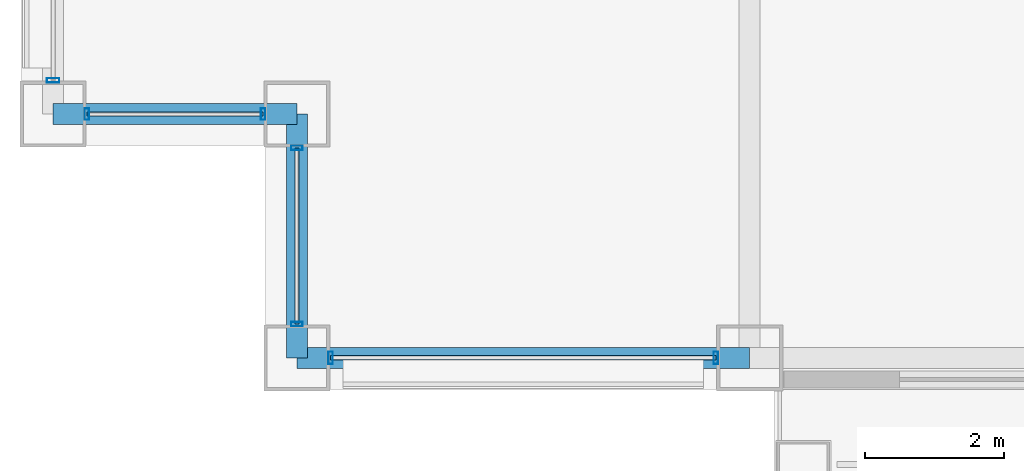
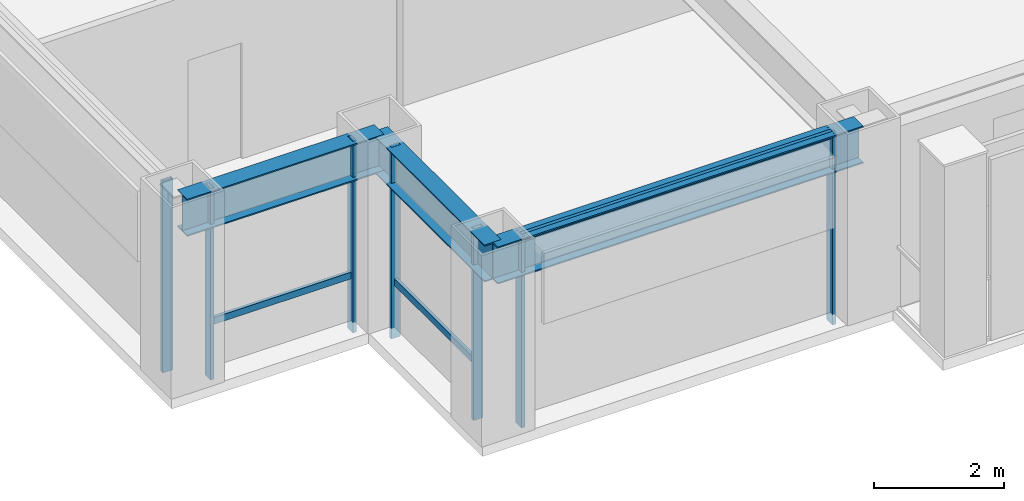
# One storey, part 2 of 31: 10 members, 3 beams, 4 elements without a shape of their own.
"""IFC4 building model written with IfcOpenShell, lengths in metres."""

from ifc_helpers import new_model, si_unit, direction, frame, origin, origin_2d, place, context, subcontext, project, spatial, hollow_rectangle, i_section, extrude, material, layer, layer_set, material_profile, profile_set, type_object, element, aggregate, save


model = new_model("IFC4")

# Units and contexts
model_context = context("Model", 3, precision=1e-05, world=origin(), true_north=direction((0.0, 1.0)))
body_context = subcontext(model_context, "Body", "Model", "MODEL_VIEW")
ifc_project = project(units=[si_unit("LENGTHUNIT", "METRE"), si_unit("AREAUNIT", "SQUARE_METRE"), si_unit("VOLUMEUNIT", "CUBIC_METRE"), si_unit("PLANEANGLEUNIT", "RADIAN"), si_unit("MASSUNIT", "GRAM", prefix="KILO")], contexts=[model_context])

# Site, building, storey
site_placement = place(None, origin())
site = spatial("IfcSite", under=ifc_project, at=site_placement, CompositionType="ELEMENT")
building_placement = place(site_placement, origin())
building = spatial("IfcBuilding", under=site, at=building_placement, Name="Brelmoor Portico Tower", CompositionType="ELEMENT")
storey_placement = place(building_placement, frame((0.0, 0.0, 42.0)))
storey = spatial("IfcBuildingStorey", under=building, at=storey_placement, Name="L10", CompositionType="ELEMENT", Elevation=42.0)

# Beams
ifc_material_1 = material(Name="Steel Q355B", Category="steel")
ifc_material_profile_1 = material_profile(ifc_material_1, i_section(OverallWidth=0.300048828125, OverallDepth=0.699951171875, WebThickness=0.012939453125, FlangeThickness=0.02392578125, at=origin_2d()), Name="HN 700x300x13x24")
ifc_profile_set_1 = profile_set([ifc_material_profile_1], Name="Steel Q355B")
beam_type = type_object("IfcBeamType", Name="BM-SP-700", PredefinedType="SPANDREL", material=ifc_profile_set_1)
beam_placement = place(storey_placement, frame((-21.050048828125, -21.550048828125, 3.050048828125), z_axis=(1.0, 0.0, 0.0), x_axis=(0.0, 1.0, 0.0)))
element("IfcBeam", 1, at=beam_placement, inside=storey, type_object=beam_type, Name="L10 Perimeter Spandrel Beam SP-01", PredefinedType="SPANDREL", context=body_context, shape_type="SweptSolid", body=[
    extrude(i_section(OverallWidth=0.300048828125, OverallDepth=0.699951171875, WebThickness=0.012939453125, FlangeThickness=0.02392578125, at=origin_2d()), origin(), (0.0, 0.0, 1.0), 6.5),
])
for number, where, z_axis, x_axis, name in (
    (2, (-24.550048828125, -18.050048828125, 3.050048828125), (1.0, 0.0, 0.0), (0.0, 1.0, 0.0), "L10 Perimeter Spandrel Beam SP-06"),
    (3, (-21.050048828125, -21.550048828125, 3.050048828125), (0.0, 1.0, 0.0), (-1.0, 0.0, 0.0), "L10 Perimeter Spandrel Beam SP-18"),
):
    element("IfcBeam", number, at=place(storey_placement, frame(where, z_axis=z_axis, x_axis=x_axis)), inside=storey, type_object=beam_type, Name=name, PredefinedType="SPANDREL", context=body_context, shape_type="SweptSolid", body=[
        extrude(i_section(OverallWidth=0.300048828125, OverallDepth=0.699951171875, WebThickness=0.012939453125, FlangeThickness=0.02392578125, at=origin_2d()), origin(), (0.0, 0.0, 1.0), 3.5),
    ])

# Curtain wall, members
ifc_material_2 = material(Name="Anodised Aluminium Alloy 6063-T6", Category="aluminium")
ifc_layer_1 = layer(ifc_material_2, 0.179931640625)
ifc_layer_set_1 = layer_set([ifc_layer_1], Name="Anodised Aluminium Alloy 6063-T6")
curtain_wall_type_1 = type_object("IfcCurtainWallType", Name="CW-NOTCH-CHAMFER", PredefinedType="NOTDEFINED", material=ifc_layer_set_1)
curtain_wall_1_placement = place(storey_placement, origin())
curtain_wall_1 = element("IfcCurtainWall", 4, at=curtain_wall_1_placement, inside=storey, type_object=curtain_wall_type_1, Name="L10 Curtain Wall CWN-L10-SWH", PredefinedType="NOTDEFINED")
ifc_material_profile_2 = material_profile(ifc_material_2, hollow_rectangle(XDim=0.06494140625, YDim=0.1650390625, WallThickness=0.00390625, at=origin_2d()), Name="ALU MULLION 65x165")
ifc_profile_set_2 = profile_set([ifc_material_profile_2], Name="Anodised Aluminium Alloy 6063-T6")
member_type_1 = type_object("IfcMemberType", Name="MB-CW-MULL-165", PredefinedType="MULLION", material=ifc_profile_set_2)
member_1_placement = place(storey_placement, frame((-24.06494140625, -18.050048828125, -0.199951171875), z_axis=(0.0, 0.0, 1.0), x_axis=(1.0, 0.0, 0.0)))
member_1 = element("IfcMember", 5, at=member_1_placement, type_object=member_type_1, Name="CWN-L10-SWH Mullion 00", PredefinedType="MULLION", context=body_context, shape_type="SweptSolid", body=[
    extrude(hollow_rectangle(XDim=0.06494140625, YDim=0.1650390625, WallThickness=0.00390625, at=origin_2d()), origin(), (0.0, 0.0, 1.0), 3.599853515625),
])
member_2_placement = place(storey_placement, frame((-21.534912109375, -18.050048828125, -0.199951171875), z_axis=(0.0, 0.0, 1.0), x_axis=(1.0, 0.0, 0.0)))
member_2 = element("IfcMember", 6, at=member_2_placement, type_object=member_type_1, Name="CWN-L10-SWH Mullion 01", PredefinedType="MULLION", context=body_context, shape_type="SweptSolid", body=[
    extrude(hollow_rectangle(XDim=0.06494140625, YDim=0.1650390625, WallThickness=0.00390625, at=origin_2d()), origin(), (0.0, 0.0, 1.0), 3.599853515625),
])

curtain_wall_2_placement = place(storey_placement, origin())
curtain_wall_2 = element("IfcCurtainWall", 7, at=curtain_wall_2_placement, inside=storey, type_object=curtain_wall_type_1, Name="L10 Curtain Wall CWN-L10-SWV", PredefinedType="NOTDEFINED")
member_3_placement = place(storey_placement, frame((-21.050048828125, -21.06494140625, -0.199951171875), z_axis=(0.0, 0.0, 1.0), x_axis=(0.0, 1.0, 0.0)))
member_3 = element("IfcMember", 8, at=member_3_placement, type_object=member_type_1, Name="CWN-L10-SWV Mullion 00", PredefinedType="MULLION", context=body_context, shape_type="SweptSolid", body=[
    extrude(hollow_rectangle(XDim=0.06494140625, YDim=0.1650390625, WallThickness=0.00390625, at=origin_2d()), origin(), (0.0, 0.0, 1.0), 3.599853515625),
])
member_4_placement = place(storey_placement, frame((-21.050048828125, -18.534912109375, -0.199951171875), z_axis=(0.0, 0.0, 1.0), x_axis=(0.0, 1.0, 0.0)))
member_4 = element("IfcMember", 9, at=member_4_placement, type_object=member_type_1, Name="CWN-L10-SWV Mullion 01", PredefinedType="MULLION", context=body_context, shape_type="SweptSolid", body=[
    extrude(hollow_rectangle(XDim=0.06494140625, YDim=0.1650390625, WallThickness=0.00390625, at=origin_2d()), origin(), (0.0, 0.0, 1.0), 3.599853515625),
])

ifc_layer_2 = layer(ifc_material_2, 0.179931640625)
ifc_layer_set_2 = layer_set([ifc_layer_2], Name="Anodised Aluminium Alloy 6063-T6")
curtain_wall_type_2 = type_object("IfcCurtainWallType", Name="CW-TOWER-Z1-XB", PredefinedType="NOTDEFINED", material=ifc_layer_set_2)
curtain_wall_3_placement = place(storey_placement, origin())
curtain_wall_3 = element("IfcCurtainWall", 10, at=curtain_wall_3_placement, inside=storey, type_object=curtain_wall_type_2, Name="L10 Curtain Wall CW-L10-1L", PredefinedType="NOTDEFINED")
ifc_material_profile_3 = material_profile(ifc_material_2, hollow_rectangle(XDim=0.06494140625, YDim=0.179931640625, WallThickness=0.00390625, at=origin_2d()), Name="ALU MULLION 65x180")
ifc_profile_set_3 = profile_set([ifc_material_profile_3], Name="Anodised Aluminium Alloy 6063-T6")
member_type_2 = type_object("IfcMemberType", Name="MB-CW-MULL-180", PredefinedType="MULLION", material=ifc_profile_set_3)
member_5_placement = place(storey_placement, frame((-20.56494140625, -21.550048828125, -0.199951171875), z_axis=(0.0, 0.0, 1.0), x_axis=(1.0, 0.0, 0.0)))
member_5 = element("IfcMember", 11, at=member_5_placement, type_object=member_type_2, Name="CW-L10-1L Mullion 00", PredefinedType="MULLION", context=body_context, shape_type="SweptSolid", body=[
    extrude(hollow_rectangle(XDim=0.06494140625, YDim=0.179931640625, WallThickness=0.00390625, at=origin_2d()), origin(), (0.0, 0.0, 1.0), 3.599853515625),
])
member_6_placement = place(storey_placement, frame((-15.034912109375, -21.550048828125, -0.199951171875), z_axis=(0.0, 0.0, 1.0), x_axis=(1.0, 0.0, 0.0)))
member_6 = element("IfcMember", 12, at=member_6_placement, type_object=member_type_2, Name="CW-L10-1L Mullion 01", PredefinedType="MULLION", context=body_context, shape_type="SweptSolid", body=[
    extrude(hollow_rectangle(XDim=0.06494140625, YDim=0.179931640625, WallThickness=0.00390625, at=origin_2d()), origin(), (0.0, 0.0, 1.0), 3.599853515625),
])

# Curtain wall, member
curtain_wall_4_placement = place(storey_placement, origin())
curtain_wall_4 = element("IfcCurtainWall", 13, at=curtain_wall_4_placement, inside=storey, type_object=curtain_wall_type_2, Name="L10 Curtain Wall CW-L10-03-1", PredefinedType="NOTDEFINED")
member_7_placement = place(storey_placement, frame((-24.550048828125, -17.56494140625, -0.199951171875), z_axis=(0.0, 0.0, 1.0), x_axis=(0.0, 1.0, 0.0)))
member_7 = element("IfcMember", 14, at=member_7_placement, type_object=member_type_2, Name="CW-L10-03-1 Mullion 00", PredefinedType="MULLION", context=body_context, shape_type="SweptSolid", body=[
    extrude(hollow_rectangle(XDim=0.06494140625, YDim=0.179931640625, WallThickness=0.00390625, at=origin_2d()), origin(), (0.0, 0.0, 1.0), 3.599853515625),
])
aggregate(curtain_wall_4, [member_7])

# Member
ifc_material_profile_4 = material_profile(ifc_material_2, hollow_rectangle(XDim=0.06005859375, YDim=0.125, WallThickness=0.00341796875, at=origin_2d()), Name="ALU TRANSOM 60x125")
ifc_profile_set_4 = profile_set([ifc_material_profile_4], Name="Anodised Aluminium Alloy 6063-T6")
member_type_3 = type_object("IfcMemberType", Name="MB-CW-TRAN-125", PredefinedType="USERDEFINED", material=ifc_profile_set_4)
member_8_placement = place(storey_placement, frame((-24.06494140625, -18.050048828125, 0.85009765625), z_axis=(1.0, 0.0, 0.0), x_axis=(0.0, 1.0, 0.0)))
member_8 = element("IfcMember", 15, at=member_8_placement, type_object=member_type_3, Name="CWN-L10-SWH Transom 1-00", ObjectType="TRANSOM", PredefinedType="USERDEFINED", context=body_context, shape_type="SweptSolid", body=[
    extrude(hollow_rectangle(XDim=0.06005859375, YDim=0.125, WallThickness=0.00341796875, at=origin_2d()), origin(), (0.0, 0.0, 1.0), 2.530029296875),
])

aggregate(curtain_wall_1, [member_1, member_2, member_8])

member_9_placement = place(storey_placement, frame((-21.050048828125, -21.06494140625, 0.85009765625), z_axis=(0.0, 1.0, 0.0), x_axis=(-1.0, 0.0, 0.0)))
member_9 = element("IfcMember", 16, at=member_9_placement, type_object=member_type_3, Name="CWN-L10-SWV Transom 1-00", ObjectType="TRANSOM", PredefinedType="USERDEFINED", context=body_context, shape_type="SweptSolid", body=[
    extrude(hollow_rectangle(XDim=0.06005859375, YDim=0.125, WallThickness=0.00341796875, at=origin_2d()), origin(), (0.0, 0.0, 1.0), 2.530029296875),
])

aggregate(curtain_wall_2, [member_3, member_4, member_9])

ifc_material_profile_5 = material_profile(ifc_material_2, hollow_rectangle(XDim=0.06494140625, YDim=0.139892578125, WallThickness=0.00390625, at=origin_2d()), Name="ALU TRANSOM 65x140")
ifc_profile_set_5 = profile_set([ifc_material_profile_5], Name="Anodised Aluminium Alloy 6063-T6")
member_type_4 = type_object("IfcMemberType", Name="MB-CW-TRAN-140", PredefinedType="USERDEFINED", material=ifc_profile_set_5)
member_10_placement = place(storey_placement, frame((-20.56494140625, -21.550048828125, 3.330078125), z_axis=(1.0, 0.0, 0.0), x_axis=(0.0, 1.0, 0.0)))
member_10 = element("IfcMember", 17, at=member_10_placement, type_object=member_type_4, Name="CW-L10-1L Transom 1-00", ObjectType="TRANSOM", PredefinedType="USERDEFINED", context=body_context, shape_type="SweptSolid", body=[
    extrude(hollow_rectangle(XDim=0.06494140625, YDim=0.139892578125, WallThickness=0.00390625, at=origin_2d()), origin(), (0.0, 0.0, 1.0), 5.530029296875),
])

aggregate(curtain_wall_3, [member_5, member_6, member_10])

save(model, "model.ifc")
